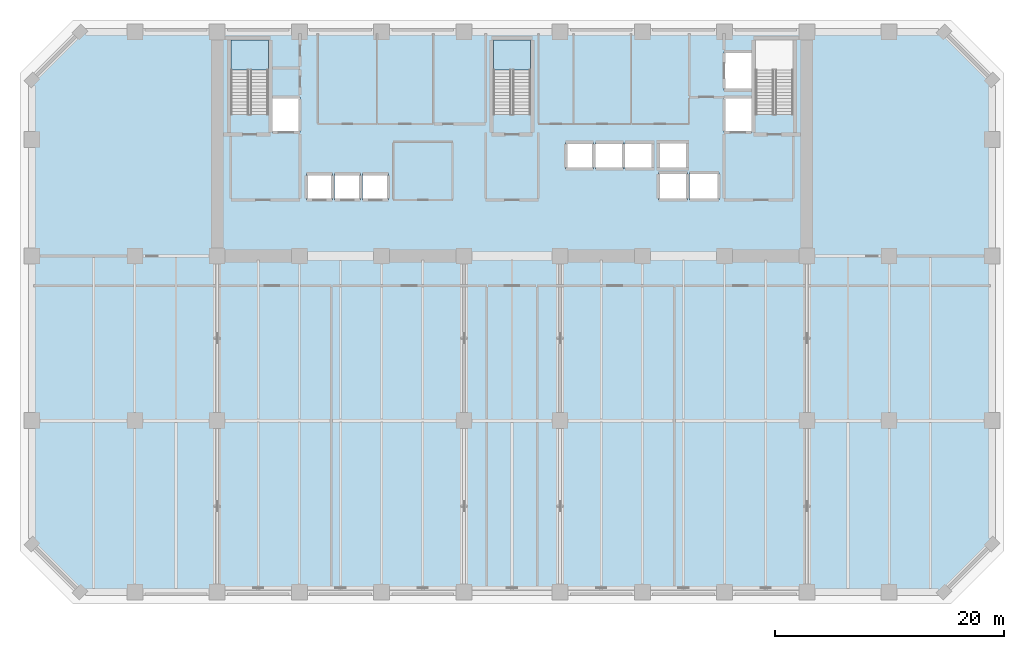
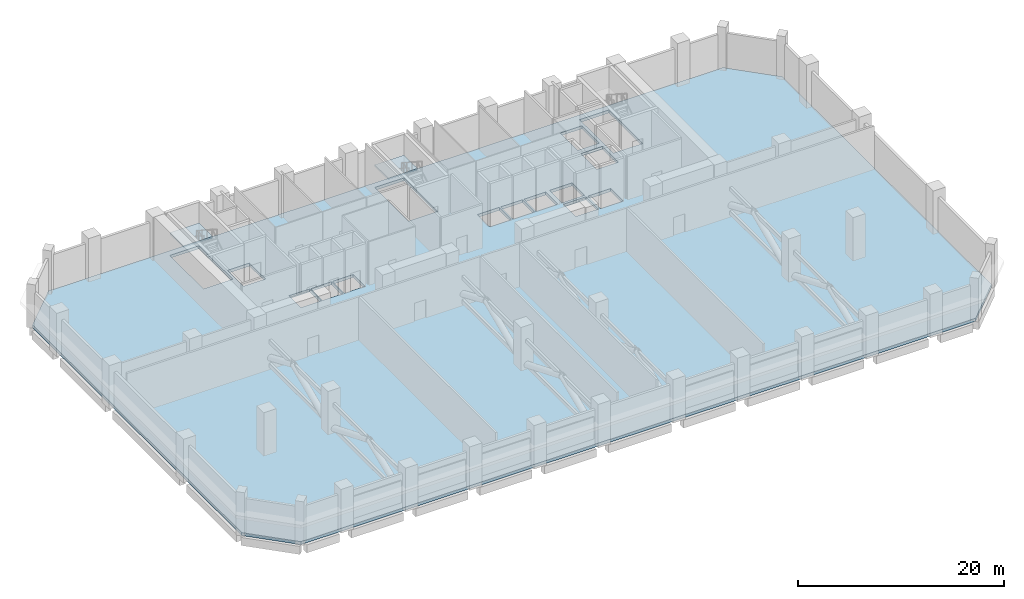
# One storey, part 5 of 15: 3 slabs, 2 elements without a shape of their own.
"""IFC4 building model written with IfcOpenShell, lengths in metres."""

from ifc_helpers import new_model, si_unit, direction, frame, origin, place, context, subcontext, project, spatial, polyline, outline, extrude, material, layer, layer_set, type_object, element, aggregate, save


model = new_model("IFC4")

# Units and contexts
model_context = context("Model", 3, precision=1e-05, world=origin(), true_north=direction((0.0, 1.0)))
body_context = subcontext(model_context, "Body", "Model", "MODEL_VIEW")
ifc_project = project(units=[si_unit("LENGTHUNIT", "METRE"), si_unit("AREAUNIT", "SQUARE_METRE"), si_unit("VOLUMEUNIT", "CUBIC_METRE"), si_unit("PLANEANGLEUNIT", "RADIAN"), si_unit("MASSUNIT", "GRAM", prefix="KILO")], contexts=[model_context])

# Site, building, storey
site_placement = place(None, origin())
site = spatial("IfcSite", under=ifc_project, at=site_placement, CompositionType="ELEMENT")
building_placement = place(site_placement, origin())
building = spatial("IfcBuilding", under=site, at=building_placement, Name="Kaelvorn Grand Hotel", CompositionType="ELEMENT")
storey_placement = place(building_placement, frame((0.0, 0.0, 80.14990234375)))
storey = spatial("IfcBuildingStorey", under=building, at=storey_placement, Name="L18", CompositionType="ELEMENT", Elevation=80.14990234375)

# Slab
ifc_material = material(Name="Concrete C40/50", Category="concrete")
ifc_layer_1 = layer(ifc_material, 0.35009765625)
ifc_layer_set_1 = layer_set([ifc_layer_1], Name="Concrete C40/50")
slab_type_1 = type_object("IfcSlabType", Name="SLB-FLR-350-C40", PredefinedType="FLOOR", material=ifc_layer_set_1)
slab_1_placement = place(storey_placement, frame((0.0, 0.0, -0.349853515625)))
element("IfcSlab", 1, at=slab_1_placement, inside=storey, type_object=slab_type_1, Name="L18 Indoor Suspended Floor Slab", PredefinedType="FLOOR", context=body_context, shape_type="SweptSolid", body=[
    extrude(outline(polyline([(4.199951171875, 0.0), (79.800048828125, 0.0), (84.0, 4.199951171875), (84.0, 44.800048828125), (79.800048828125, 49.0), (4.199951171875, 49.0), (0.0, 44.800048828125), (0.0, 4.199951171875), (4.199951171875, 0.0)]), holes=[polyline([(17.39990234375, 41.760009765625), (17.39990234375, 48.300048828125), (20.679931640625, 48.300048828125), (20.679931640625, 41.760009765625), (17.39990234375, 41.760009765625)]), polyline([(40.360107421875, 41.760009765625), (40.360107421875, 48.300048828125), (43.639892578125, 48.300048828125), (43.639892578125, 41.760009765625), (40.360107421875, 41.760009765625)]), polyline([(63.320068359375, 41.760009765625), (63.320068359375, 48.300048828125), (66.60009765625, 48.300048828125), (66.60009765625, 41.760009765625), (63.320068359375, 41.760009765625)]), polyline([(24.0, 34.300048828125), (24.0, 36.60009765625), (26.300048828125, 36.60009765625), (26.300048828125, 34.300048828125), (24.0, 34.300048828125)]), polyline([(26.449951171875, 34.300048828125), (26.449951171875, 36.60009765625), (28.75, 36.60009765625), (28.75, 34.300048828125), (26.449951171875, 34.300048828125)]), polyline([(28.89990234375, 34.300048828125), (28.89990234375, 36.60009765625), (31.199951171875, 36.60009765625), (31.199951171875, 34.300048828125), (28.89990234375, 34.300048828125)]), polyline([(46.699951171875, 37.0), (46.699951171875, 39.35009765625), (49.14990234375, 39.35009765625), (49.14990234375, 37.0), (46.699951171875, 37.0)]), polyline([(49.300048828125, 37.0), (49.300048828125, 39.35009765625), (51.75, 39.35009765625), (51.75, 37.0), (49.300048828125, 37.0)]), polyline([(51.89990234375, 37.0), (51.89990234375, 39.35009765625), (54.35009765625, 39.35009765625), (54.35009765625, 37.0), (51.89990234375, 37.0)]), polyline([(54.800048828125, 34.300048828125), (54.800048828125, 36.699951171875), (57.35009765625, 36.699951171875), (57.35009765625, 34.300048828125), (54.800048828125, 34.300048828125)]), polyline([(57.550048828125, 34.300048828125), (57.550048828125, 36.699951171875), (60.10009765625, 36.699951171875), (60.10009765625, 34.300048828125), (57.550048828125, 34.300048828125)]), polyline([(54.800048828125, 37.0), (54.800048828125, 39.39990234375), (57.35009765625, 39.39990234375), (57.35009765625, 37.0), (54.800048828125, 37.0)]), polyline([(21.0, 40.199951171875), (21.0, 43.300048828125), (23.449951171875, 43.300048828125), (23.449951171875, 40.199951171875), (21.0, 40.199951171875)]), polyline([(60.550048828125, 40.199951171875), (60.550048828125, 43.300048828125), (63.0, 43.300048828125), (63.0, 40.199951171875), (60.550048828125, 40.199951171875)]), polyline([(60.550048828125, 43.89990234375), (60.550048828125, 47.300048828125), (63.0, 47.300048828125), (63.0, 43.89990234375), (60.550048828125, 43.89990234375)])]), origin(), (0.0, 0.0, 1.0), 0.349853515625),
])

# Stair, slab
stair_type = type_object("IfcStairType", Name="STR-DOG-1560-R04", PredefinedType="HALF_TURN_STAIR", material=ifc_material)
stair_1_placement = place(storey_placement, origin())
stair_1 = element("IfcStair", 2, at=stair_1_placement, inside=storey, type_object=stair_type, Name="L18 West Core Exit Stair ST1", PredefinedType="HALF_TURN_STAIR")
ifc_layer_2 = layer(ifc_material, 0.199951171875)
ifc_layer_set_2 = layer_set([ifc_layer_2], Name="Concrete C40/50")
slab_type_2 = type_object("IfcSlabType", Name="SLB-LAND-200-C40", PredefinedType="LANDING", material=ifc_layer_set_2)
slab_2_placement = place(storey_placement, frame((0.0, 0.0, 2.5)))
slab_2 = element("IfcSlab", 3, at=slab_2_placement, type_object=slab_type_2, Name="ST1 landing 1", PredefinedType="LANDING", context=body_context, shape_type="SweptSolid", body=[
    extrude(outline(polyline([(20.679931640625, 45.679931640625), (20.679931640625, 48.300048828125), (17.39990234375, 48.300048828125), (17.39990234375, 45.679931640625), (20.679931640625, 45.679931640625)])), origin(), (0.0, 0.0, 1.0), 0.2001953125),
])
aggregate(stair_1, [slab_2])

stair_2_placement = place(storey_placement, origin())
stair_2 = element("IfcStair", 4, at=stair_2_placement, inside=storey, type_object=stair_type, Name="L18 Central Core Exit Stair ST2", PredefinedType="HALF_TURN_STAIR")
slab_3_placement = place(storey_placement, frame((0.0, 0.0, 2.5)))
slab_3 = element("IfcSlab", 5, at=slab_3_placement, type_object=slab_type_2, Name="ST2 landing 1", PredefinedType="LANDING", context=body_context, shape_type="SweptSolid", body=[
    extrude(outline(polyline([(43.639892578125, 45.679931640625), (43.639892578125, 48.300048828125), (40.360107421875, 48.300048828125), (40.360107421875, 45.679931640625), (43.639892578125, 45.679931640625)])), origin(), (0.0, 0.0, 1.0), 0.2001953125),
])
aggregate(stair_2, [slab_3])

save(model, "model.ifc")
